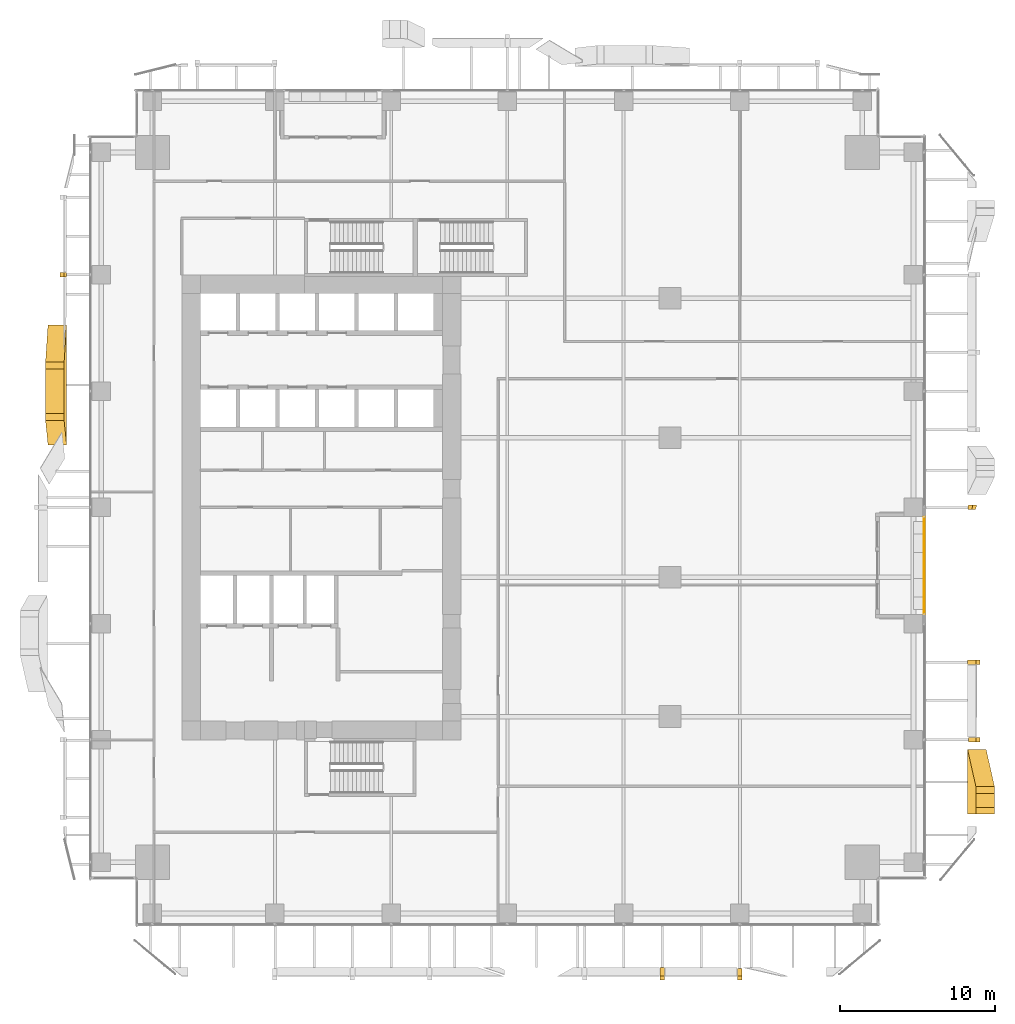
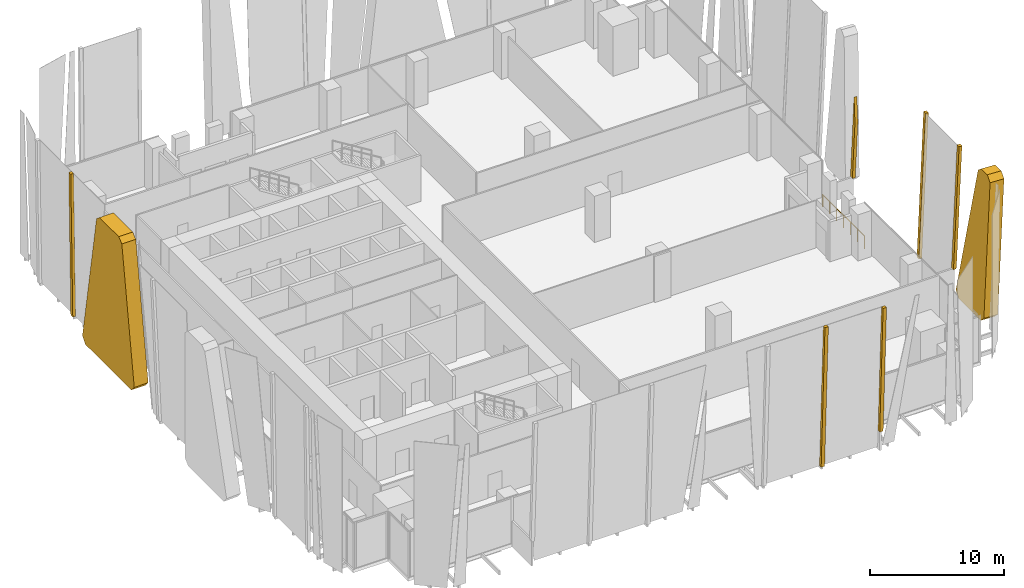
# One storey, part 31 of 34: 8 coverings, 1 railing.
"""IFC4 building model written with IfcOpenShell, lengths in metres."""

from ifc_helpers import new_model, si_unit, direction, frame, origin, origin_2d, place, context, subcontext, project, spatial, polyline, circle, outline, extrude, source, transform, mapped, material, layer, layer_set, type_object, element, save


model = new_model("IFC4")

# Units and contexts
model_context = context("Model", 3, precision=1e-05, world=origin(), true_north=direction((0.0, 1.0)))
body_context = subcontext(model_context, "Body", "Model", "MODEL_VIEW")
ifc_project = project(units=[si_unit("LENGTHUNIT", "METRE"), si_unit("AREAUNIT", "SQUARE_METRE"), si_unit("VOLUMEUNIT", "CUBIC_METRE"), si_unit("PLANEANGLEUNIT", "RADIAN"), si_unit("MASSUNIT", "GRAM", prefix="KILO")], contexts=[model_context])

# Site, building, storey
site_placement = place(None, origin())
site = spatial("IfcSite", under=ifc_project, at=site_placement, CompositionType="ELEMENT")
building_placement = place(site_placement, origin())
building = spatial("IfcBuilding", under=site, at=building_placement, Name="Khomas Fold Tower", CompositionType="ELEMENT")
storey_placement = place(building_placement, frame((0.0, 0.0, 73.5)))
storey = spatial("IfcBuildingStorey", under=building, at=storey_placement, Name="L15", CompositionType="ELEMENT", Elevation=73.5)

# Coverings
ifc_material_1 = material(Name="Natural stone cladding", Category="masonry")
ifc_layer_1 = layer(ifc_material_1, 0.25)
ifc_layer_set_1 = layer_set([ifc_layer_1], Name="Natural stone cladding")
covering_type_1 = type_object("IfcCoveringType", Name="SK-Karibib marble stone mullion", PredefinedType="CLADDING", material=ifc_layer_set_1)
covering_1_placement = place(storey_placement, frame((36.85009765625, -2.673828125, 0.0), z_axis=(0.0, 0.99904235518, 0.043753543365), x_axis=(0.0, -0.043753543365, 0.99904235518)))
element("IfcCovering", 1, at=covering_1_placement, inside=storey, type_object=covering_type_1, Name="OUTER SKIN mullion L15 SM105-14", PredefinedType="CLADDING", context=body_context, shape_type="SweptSolid", body=[
    extrude(outline(polyline([(0.0, 0.0), (13.062558119247587, 0.0), (13.062558119247587, 0.2998046875), (0.0, 0.2998046875), (0.0, 0.0)])), origin(), (0.0, 0.0, -1.0), 0.25),
])
covering_2_placement = place(storey_placement, frame((41.85009765625, -3.245361328125, 13.050048828125), z_axis=(-0.000315766568, 0.999042180095, 0.043756401607), x_axis=(0.999999950146, 0.000315464137, 1.3816809e-05)))
element("IfcCovering", 2, at=covering_2_placement, inside=storey, type_object=covering_type_1, Name="OUTER SKIN mullion L15 SM106-16", PredefinedType="CLADDING", context=body_context, shape_type="SweptSolid", body=[
    extrude(outline(polyline([(0.0, 0.0), (0.29980467255345794, 5.07888896107559e-22), (0.29980472800659097, 11.333616589573175), (0.2563476391369395, 11.561121123799317), (-4.333036733480651e-09, 11.561121123799317), (0.0, 0.0)])), origin(), (0.0, 0.0, -1.0), 0.25),
])
covering_3_placement = place(storey_placement, frame((56.750244140625, 27.14990234375, 1.7451171875), z_axis=(-0.999042327106, 4.5973366e-05, 0.043754160221), x_axis=(-0.043579662847, -0.090272459137, -0.994963163191)))
element("IfcCovering", 3, at=covering_3_placement, inside=storey, type_object=covering_type_1, Name="OUTER SKIN mullion L15 EM103-3", PredefinedType="CLADDING", context=body_context, shape_type="SweptSolid", body=[
    extrude(outline(polyline([(0.0, 0.0), (0.49762549253574406, 0.0), (0.5206343908117904, 0.2538421528641872), (-4.458127525036485, 0.7051297935866012), (-6.591861024211877, 0.5975030493005768), (0.0, 0.0)])), origin(), (0.0, 0.0, -1.0), 0.25),
])
covering_4_placement = place(storey_placement, frame((57.245361328125, 11.85009765625, 13.050048828125), z_axis=(-0.999041608971, 3.483467e-06, 0.04377057838), x_axis=(3.480129e-06, 0.999999999994, -1.52473e-07)))
element("IfcCovering", 4, at=covering_4_placement, inside=storey, type_object=covering_type_1, Name="OUTER SKIN mullion L15 EM100-4", PredefinedType="CLADDING", context=body_context, shape_type="SweptSolid", body=[
    extrude(outline(polyline([(0.0, 0.0), (0.299804687498181, 0.0), (0.29980468749872313, 11.060649248255993), (0.044677734375271075, 11.060649248255993), (-6.733843155619777e-12, 10.831914497348649), (0.0, 0.0)])), origin(), (0.0, 0.0, -1.0), 0.25),
])
covering_5_placement = place(storey_placement, frame((56.673828125, 16.85009765625, 0.0), z_axis=(-0.99904235518, 0.0, 0.043753543365), x_axis=(0.043753543365, 0.0, 0.99904235518)))
element("IfcCovering", 5, at=covering_5_placement, inside=storey, type_object=covering_type_1, Name="OUTER SKIN mullion L15 EM101-6", PredefinedType="CLADDING", context=body_context, shape_type="SweptSolid", body=[
    extrude(outline(polyline([(0.0, 0.0), (13.062558119247587, 0.0), (13.062558119247587, 0.2998046875), (0.0, 0.2998046875), (0.0, 0.0)])), origin(), (0.0, 0.0, -1.0), 0.25),
])
covering_6_placement = place(storey_placement, frame((-1.43212890625, 41.85009765625, 0.0), z_axis=(0.999913772879, 0.0, 0.013131900334), x_axis=(-0.013131900334, 0.0, 0.999913772879)))
element("IfcCovering", 6, at=covering_6_placement, inside=storey, type_object=covering_type_1, Name="OUTER SKIN mullion L15 WM106-12", PredefinedType="CLADDING", context=body_context, shape_type="SweptSolid", body=[
    extrude(outline(polyline([(0.0, 0.0), (13.051174193298111, 0.0), (13.051174193298111, -0.29980468749999994), (0.0, -0.29980468749999994), (0.0, 0.0)])), origin(), (0.0, 0.0, -1.0), 0.25),
])
ifc_material_2 = material(Name="Natural stone cladding", Category="masonry")
ifc_layer_2 = layer(ifc_material_2, 1.199951171875)
ifc_layer_set_2 = layer_set([ifc_layer_2], Name="Natural stone cladding")
covering_type_2 = type_object("IfcCoveringType", Name="SK-Karibib marble stone panel", PredefinedType="CLADDING", material=ifc_layer_set_2)
covering_7_placement = place(storey_placement, frame((57.229248046875, 8.987060546875, 12.6865234375), z_axis=(-0.999042693671, -1.30957e-07, 0.043745813779), x_axis=(-0.042932064738, 0.191985982826, -0.980458168519)))
element("IfcCovering", 7, at=covering_7_placement, inside=storey, type_object=covering_type_2, Name="OUTER SKIN leaf L15 ES03-1", PredefinedType="CLADDING", context=body_context, shape_type="SweptSolid", body=[
    extrude(outline(polyline([(0.0, 0.0), (12.392312999118515, -8.881784197001252e-16), (12.834423700173115, 0.5365097812611019), (12.205735226628024, 3.750251704708785), (11.67735408988305, 4.1053670788699765), (-0.2582058646623708, 1.7704723837185488), (-0.6138288469564968, 1.2424236460556453), (-0.4419038994456195, 0.3635743673554215), (0.0, 0.0)])), origin(), (0.0, 0.0, -1.0), 1.199951171875),
])
covering_8_placement = place(storey_placement, frame((-1.598876953125, 36.374267578125, 12.6865234375), z_axis=(0.999913736193, 1.8757668e-05, 0.013134680088), x_axis=(0.012886326191, 0.192147150326, -0.981281516803)))
element("IfcCovering", 8, at=covering_8_placement, inside=storey, type_object=covering_type_2, Name="OUTER SKIN leaf L15 WS08-2", PredefinedType="CLADDING", context=body_context, shape_type="SweptSolid", body=[
    extrude(outline(polyline([(0.0, 0.0), (12.381918672847434, 4.440892098500626e-16), (12.823484835185432, -0.5364930143897177), (11.510917143263619, -7.240258686108882), (10.92677200738654, -7.580648711712927), (-0.6956537676245939, -3.702909793058138), (-0.994956750914878, -3.189544532043486), (-0.441595475221179, -0.36332509445952416), (0.0, 0.0)])), origin(), (0.0, 0.0, -1.0), 1.199951171875),
])

# Railing
ifc_material_3 = material(Name="Powder-coated steel", Category="steel")
railing_type = type_object("IfcRailingType", Name="Balcony guard", PredefinedType="GUARDRAIL", material=ifc_material_3)
shared_shape = source(origin(), body_context, "Body", "SweptSolid", [
    extrude(circle(Radius=0.02490234375, at=origin_2d()), frame((0.0, 0.0, 1.125), z_axis=(0.0, 1.0, 0.0), x_axis=(-1.0, 0.0, 0.0)), (0.0, 0.0, 1.0), 6.240234375),
    extrude(circle(Radius=0.02001953125, at=origin_2d()), origin(), (0.0, 0.0, 1.0), 1.099853515625),
    extrude(circle(Radius=0.02001953125, at=origin_2d()), frame((0.0, 1.0400390625, 0.0)), (0.0, 0.0, 1.0), 1.099853515625),
    extrude(circle(Radius=0.02001953125, at=origin_2d()), frame((0.0, 2.080078125, 0.0)), (0.0, 0.0, 1.0), 1.099853515625),
    extrude(circle(Radius=0.02001953125, at=origin_2d()), frame((0.0, 3.1201171875, 0.0)), (0.0, 0.0, 1.0), 1.099853515625),
    extrude(circle(Radius=0.02001953125, at=origin_2d()), frame((0.0, 4.16015625, 0.0)), (0.0, 0.0, 1.0), 1.099853515625),
    extrude(circle(Radius=0.02001953125, at=origin_2d()), frame((0.0, 5.2001953125, 0.0)), (0.0, 0.0, 1.0), 1.099853515625),
    extrude(circle(Radius=0.02001953125, at=origin_2d()), frame((0.0, 6.240234375, 0.0)), (0.0, 0.0, 1.0), 1.099853515625),
])
railing_placement = place(storey_placement, frame((53.89990234375, 20.1298828125, -0.044921875)))
element("IfcRailing", 9, at=railing_placement, inside=storey, type_object=railing_type, Name="Balcony guard BAL-L15-E2", PredefinedType="GUARDRAIL", context=body_context, shape_type="MappedRepresentation", body=[
    mapped(shared_shape, transform((0.0, 0.0, 0.0))),
])

save(model, "model.ifc")
